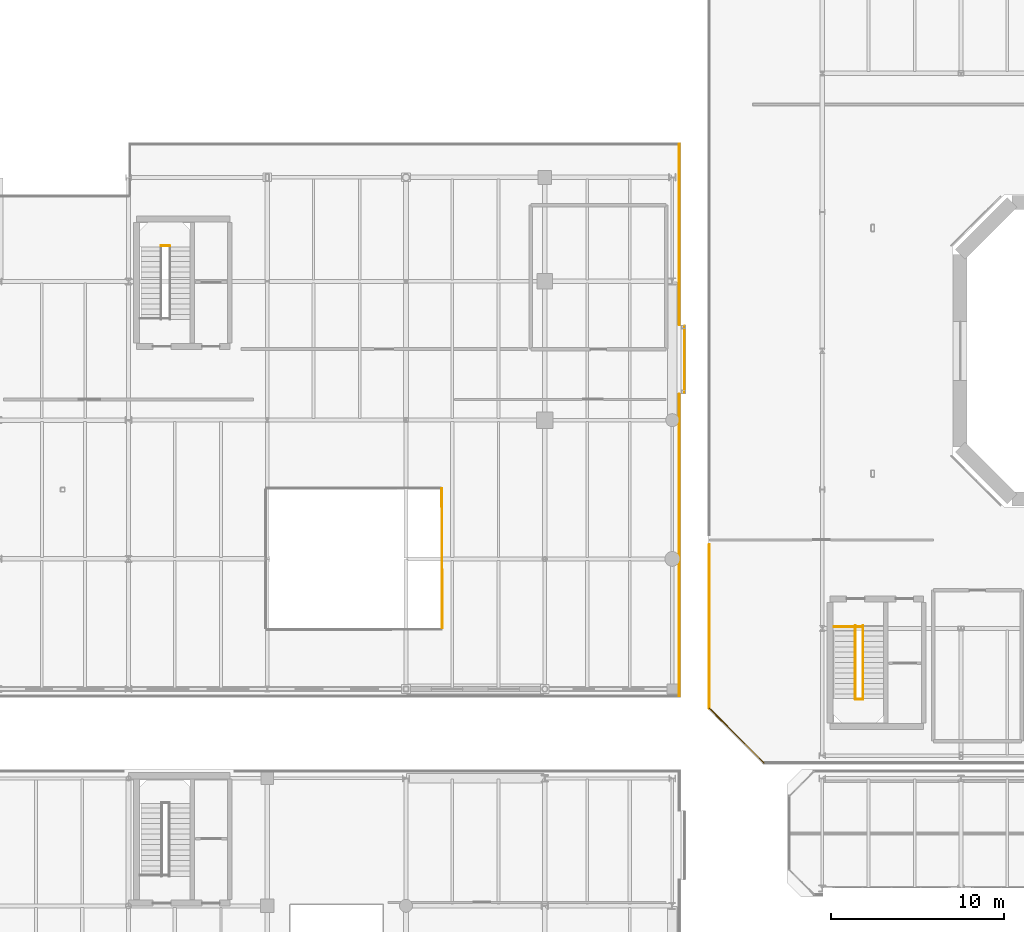
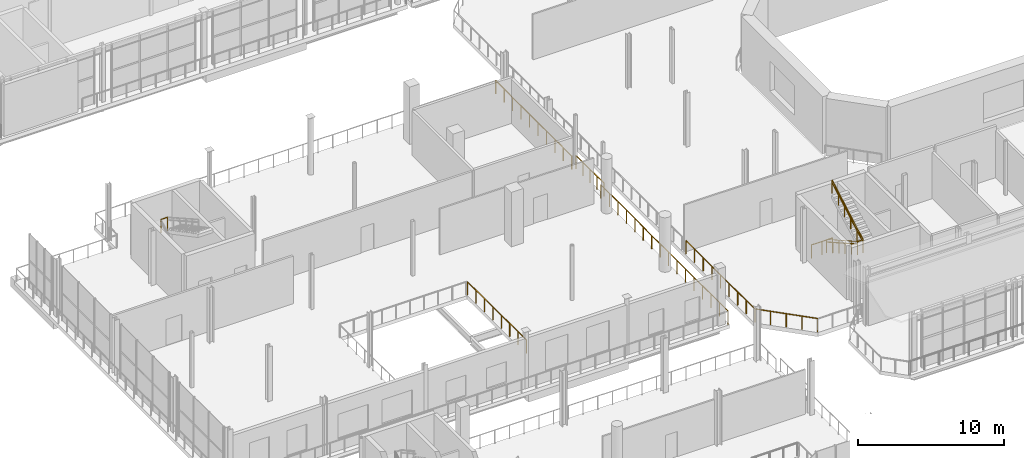
# One storey, part 82 of 93: 13 railings.
"""IFC4 building model written with IfcOpenShell, lengths in metres."""

from ifc_helpers import new_model, si_unit, direction, frame, origin, origin_2d, place, context, subcontext, project, spatial, circle, extrude, material, type_object, element, save


model = new_model("IFC4")

# Units and contexts
model_context = context("Model", 3, precision=1e-05, world=origin(), true_north=direction((0.0, 1.0)))
body_context = subcontext(model_context, "Body", "Model", "MODEL_VIEW")
ifc_project = project(units=[si_unit("LENGTHUNIT", "METRE"), si_unit("AREAUNIT", "SQUARE_METRE"), si_unit("VOLUMEUNIT", "CUBIC_METRE"), si_unit("PLANEANGLEUNIT", "RADIAN"), si_unit("MASSUNIT", "GRAM", prefix="KILO")], contexts=[model_context])

# Site, building, storey
site_placement = place(None, origin())
site = spatial("IfcSite", under=ifc_project, at=site_placement, CompositionType="ELEMENT")
building_placement = place(site_placement, origin())
building = spatial("IfcBuilding", under=site, at=building_placement, Name="Brisemont Oceanarium", CompositionType="ELEMENT")
storey_placement = place(building_placement, frame((0.0, 0.0, 5.39990234375)))
storey = spatial("IfcBuildingStorey", under=building, at=storey_placement, Name="L01", CompositionType="ELEMENT", Elevation=5.39990234375)

# Railings
ifc_material_1 = material(Name="Beaux-Arts Limestone Balustrade Precast Concrete C40/50", Category="masonry")
railing_type_1 = type_object("IfcRailingType", Name="RLG-BAL-1140", PredefinedType="BALUSTRADE", material=ifc_material_1)
railing_1_placement = place(storey_placement, frame((60.63720703125, 32.239990234375, 0.0)))
element("IfcRailing", 1, at=railing_1_placement, inside=storey, type_object=railing_type_1, Name="L01 slab perimeter safety guard 52", PredefinedType="BALUSTRADE", context=body_context, shape_type="SweptSolid", body=[
    extrude(circle(Radius=0.02392578125, at=origin_2d()), frame((0.0, 0.0, 1.11572265625), z_axis=(-0.707106781187, 0.707106781187, 0.0), x_axis=(-0.707106781187, -0.707106781187, 0.0)), (0.0, 0.0, 1.0), 4.450927734375),
    extrude(circle(Radius=0.02099609375, at=origin_2d()), origin(), (0.0, 0.0, 1.0), 1.091796875),
    extrude(circle(Radius=0.02099609375, at=origin_2d()), frame((-0.786865234375, 0.786865234375, 0.0)), (0.0, 0.0, 1.0), 1.091796875),
    extrude(circle(Radius=0.02099609375, at=origin_2d()), frame((-1.57373046875, 1.57373046875, 0.0)), (0.0, 0.0, 1.0), 1.091796875),
    extrude(circle(Radius=0.02099609375, at=origin_2d()), frame((-2.3603515625, 2.3603515625, 0.0)), (0.0, 0.0, 1.0), 1.091796875),
    extrude(circle(Radius=0.02099609375, at=origin_2d()), frame((-3.147216796875, 3.147216796875, 0.0)), (0.0, 0.0, 1.0), 1.091796875),
])
railing_2_placement = place(storey_placement, frame((55.760009765625, 53.49169921875, 0.0)))
element("IfcRailing", 2, at=railing_2_placement, inside=storey, type_object=railing_type_1, Name="L01 slab perimeter safety guard 96", PredefinedType="BALUSTRADE", context=body_context, shape_type="SweptSolid", body=[
    extrude(circle(Radius=0.02392578125, at=origin_2d()), frame((0.0, 0.0, 1.11572265625), z_axis=(0.0, -1.0, 0.0), x_axis=(1.0, 0.0, 0.0)), (0.0, 0.0, 1.0), 17.401123046875),
    extrude(circle(Radius=0.02099609375, at=origin_2d()), origin(), (0.0, 0.0, 1.0), 1.091796875),
    extrude(circle(Radius=0.02099609375, at=origin_2d()), frame((0.0, -1.16015625, 0.0)), (0.0, 0.0, 1.0), 1.091796875),
    extrude(circle(Radius=0.02099609375, at=origin_2d()), frame((0.0, -2.320068359375, 0.0)), (0.0, 0.0, 1.0), 1.091796875),
    extrude(circle(Radius=0.02099609375, at=origin_2d()), frame((0.0, -3.480224609375, 0.0)), (0.0, 0.0, 1.0), 1.091796875),
    extrude(circle(Radius=0.02099609375, at=origin_2d()), frame((0.0, -4.640380859375, 0.0)), (0.0, 0.0, 1.0), 1.091796875),
    extrude(circle(Radius=0.02099609375, at=origin_2d()), frame((0.0, -5.80029296875, 0.0)), (0.0, 0.0, 1.0), 1.091796875),
    extrude(circle(Radius=0.02099609375, at=origin_2d()), frame((0.0, -6.96044921875, 0.0)), (0.0, 0.0, 1.0), 1.091796875),
    extrude(circle(Radius=0.02099609375, at=origin_2d()), frame((0.0, -8.12060546875, 0.0)), (0.0, 0.0, 1.0), 1.091796875),
    extrude(circle(Radius=0.02099609375, at=origin_2d()), frame((0.0, -9.280517578125, 0.0)), (0.0, 0.0, 1.0), 1.091796875),
    extrude(circle(Radius=0.02099609375, at=origin_2d()), frame((0.0, -10.440673828125, 0.0)), (0.0, 0.0, 1.0), 1.091796875),
    extrude(circle(Radius=0.02099609375, at=origin_2d()), frame((0.0, -11.600830078125, 0.0)), (0.0, 0.0, 1.0), 1.091796875),
    extrude(circle(Radius=0.02099609375, at=origin_2d()), frame((0.0, -12.7607421875, 0.0)), (0.0, 0.0, 1.0), 1.091796875),
    extrude(circle(Radius=0.02099609375, at=origin_2d()), frame((0.0, -13.9208984375, 0.0)), (0.0, 0.0, 1.0), 1.091796875),
    extrude(circle(Radius=0.02099609375, at=origin_2d()), frame((0.0, -15.0810546875, 0.0)), (0.0, 0.0, 1.0), 1.091796875),
    extrude(circle(Radius=0.02099609375, at=origin_2d()), frame((0.0, -16.240966796875, 0.0)), (0.0, 0.0, 1.0), 1.091796875),
    extrude(circle(Radius=0.02099609375, at=origin_2d()), frame((0.0, -17.401123046875, 0.0)), (0.0, 0.0, 1.0), 1.091796875),
])
ifc_material_2 = material(Name="Duplex Stainless Steel EN 1.4462", Category="steel")
railing_type_2 = type_object("IfcRailingType", Name="RLG-GUARD-1120", PredefinedType="GUARDRAIL", material=ifc_material_2)
railing_3_placement = place(storey_placement, frame((64.669921875, 40.090087890625, 0.0)))
element("IfcRailing", 3, at=railing_3_placement, inside=storey, type_object=railing_type_2, Name="ST-01 L01 landing edge guard", PredefinedType="GUARDRAIL", context=body_context, shape_type="SweptSolid", body=[
    extrude(circle(Radius=0.02392578125, at=origin_2d()), frame((0.0, 0.0, 1.09619140625), z_axis=(1.0, 0.0, 0.0), x_axis=(0.0, 1.0, 0.0)), (0.0, 0.0, 1.0), 1.68017578125),
    extrude(circle(Radius=0.02099609375, at=origin_2d()), origin(), (0.0, 0.0, 1.0), 1.072021484375),
    extrude(circle(Radius=0.02099609375, at=origin_2d()), frame((0.840087890625, 0.0, 0.0)), (0.0, 0.0, 1.0), 1.072021484375),
    extrude(circle(Radius=0.02099609375, at=origin_2d()), frame((1.68017578125, 0.0, 0.0)), (0.0, 0.0, 1.0), 1.072021484375),
])
railing_4_placement = place(storey_placement, frame((65.909912109375, 40.14990234375, 0.0)))
element("IfcRailing", 4, at=railing_4_placement, inside=storey, type_object=railing_type_2, Name="ST-01 L01 F1 well guard", PredefinedType="GUARDRAIL", context=body_context, shape_type="SweptSolid", body=[
    extrude(circle(Radius=0.02392578125, at=origin_2d()), frame((0.0, 0.0, 1.09619140625), z_axis=(0.0, -0.870740716755, 0.491742416499), x_axis=(1.0, 0.0, 0.0)), (0.0, 0.0, 1.0), 4.880859375),
    extrude(circle(Radius=0.02099609375, at=origin_2d()), origin(), (0.0, 0.0, 1.0), 1.072021484375),
    extrude(circle(Radius=0.02099609375, at=origin_2d()), frame((0.0, -0.85009765625, 0.47998046875)), (0.0, 0.0, 1.0), 1.072021484375),
    extrude(circle(Radius=0.02099609375, at=origin_2d()), frame((0.0, -1.699951171875, 0.9599609375)), (0.0, 0.0, 1.0), 1.072021484375),
    extrude(circle(Radius=0.02099609375, at=origin_2d()), frame((0.0, -2.550048828125, 1.440185546875)), (0.0, 0.0, 1.0), 1.072021484375),
    extrude(circle(Radius=0.02099609375, at=origin_2d()), frame((0.0, -3.39990234375, 1.920166015625)), (0.0, 0.0, 1.0), 1.072021484375),
    extrude(circle(Radius=0.02099609375, at=origin_2d()), frame((0.0, -4.25, 2.400146484375)), (0.0, 0.0, 1.0), 1.072021484375),
])
railing_5_placement = place(storey_placement, frame((66.35009765625, 35.89990234375, 2.400146484375)))
element("IfcRailing", 5, at=railing_5_placement, inside=storey, type_object=railing_type_2, Name="ST-01 L01 F2 well guard", PredefinedType="GUARDRAIL", context=body_context, shape_type="SweptSolid", body=[
    extrude(circle(Radius=0.02392578125, at=origin_2d()), frame((0.0, 0.0, 1.09619140625), z_axis=(0.0, 0.870762133844, 0.491704490791), x_axis=(-1.0, 0.0, 0.0)), (0.0, 0.0, 1.0), 4.880859375),
    extrude(circle(Radius=0.02099609375, at=origin_2d()), origin(), (0.0, 0.0, 1.0), 1.072021484375),
    extrude(circle(Radius=0.02099609375, at=origin_2d()), frame((0.0, 0.85009765625, 0.47998046875)), (0.0, 0.0, 1.0), 1.072021484375),
    extrude(circle(Radius=0.02099609375, at=origin_2d()), frame((0.0, 1.699951171875, 0.9599609375)), (0.0, 0.0, 1.0), 1.072021484375),
    extrude(circle(Radius=0.02099609375, at=origin_2d()), frame((0.0, 2.550048828125, 1.43994140625)), (0.0, 0.0, 1.0), 1.072021484375),
    extrude(circle(Radius=0.02099609375, at=origin_2d()), frame((0.0, 3.39990234375, 1.919921875)), (0.0, 0.0, 1.0), 1.072021484375),
    extrude(circle(Radius=0.02099609375, at=origin_2d()), frame((0.0, 4.25, 2.39990234375)), (0.0, 0.0, 1.0), 1.072021484375),
])
railing_6_placement = place(storey_placement, frame((65.909912109375, 35.89990234375, 2.400146484375)))
element("IfcRailing", 6, at=railing_6_placement, inside=storey, type_object=railing_type_2, Name="ST-01 L01 landing slot guard", PredefinedType="GUARDRAIL", context=body_context, shape_type="SweptSolid", body=[
    extrude(circle(Radius=0.02392578125, at=origin_2d()), frame((0.0, 0.0, 1.09619140625), z_axis=(1.0, 0.0, 0.0), x_axis=(0.0, 1.0, 0.0)), (0.0, 0.0, 1.0), 0.440185546875),
    extrude(circle(Radius=0.02099609375, at=origin_2d()), origin(), (0.0, 0.0, 1.0), 1.072021484375),
    extrude(circle(Radius=0.02099609375, at=origin_2d()), frame((0.440185546875, 0.0, 0.0)), (0.0, 0.0, 1.0), 1.072021484375),
])
railing_7_placement = place(storey_placement, frame((25.8701171875, 62.050048828125, 2.400146484375)))
element("IfcRailing", 7, at=railing_7_placement, inside=storey, type_object=railing_type_2, Name="ST-05 L01 landing slot guard", PredefinedType="GUARDRAIL", context=body_context, shape_type="SweptSolid", body=[
    extrude(circle(Radius=0.02392578125, at=origin_2d()), frame((0.0, 0.0, 1.09619140625), z_axis=(1.0, 0.0, 0.0), x_axis=(0.0, 1.0, 0.0)), (0.0, 0.0, 1.0), 0.519775390625),
    extrude(circle(Radius=0.02099609375, at=origin_2d()), origin(), (0.0, 0.0, 1.0), 1.072021484375),
    extrude(circle(Radius=0.02099609375, at=origin_2d()), frame((0.519775390625, 0.0, 0.0)), (0.0, 0.0, 1.0), 1.072021484375),
])
railing_8_placement = place(storey_placement, frame((57.489990234375, 35.38720703125, 0.0)))
element("IfcRailing", 8, at=railing_8_placement, inside=storey, type_object=railing_type_2, Name="L01 slab perimeter safety guard 42", PredefinedType="GUARDRAIL", context=body_context, shape_type="SweptSolid", body=[
    extrude(circle(Radius=0.02392578125, at=origin_2d()), frame((0.0, 0.0, 1.09619140625), z_axis=(0.0, 1.0, 0.0), x_axis=(-1.0, 0.0, 0.0)), (0.0, 0.0, 1.0), 9.433349609375),
    extrude(circle(Radius=0.02099609375, at=origin_2d()), origin(), (0.0, 0.0, 1.0), 1.072021484375),
    extrude(circle(Radius=0.02099609375, at=origin_2d()), frame((0.0, 1.17919921875, 0.0)), (0.0, 0.0, 1.0), 1.072021484375),
    extrude(circle(Radius=0.02099609375, at=origin_2d()), frame((0.0, 2.3583984375, 0.0)), (0.0, 0.0, 1.0), 1.072021484375),
    extrude(circle(Radius=0.02099609375, at=origin_2d()), frame((0.0, 3.53759765625, 0.0)), (0.0, 0.0, 1.0), 1.072021484375),
    extrude(circle(Radius=0.02099609375, at=origin_2d()), frame((0.0, 4.716796875, 0.0)), (0.0, 0.0, 1.0), 1.072021484375),
    extrude(circle(Radius=0.02099609375, at=origin_2d()), frame((0.0, 5.895751953125, 0.0)), (0.0, 0.0, 1.0), 1.072021484375),
    extrude(circle(Radius=0.02099609375, at=origin_2d()), frame((0.0, 7.074951171875, 0.0)), (0.0, 0.0, 1.0), 1.072021484375),
    extrude(circle(Radius=0.02099609375, at=origin_2d()), frame((0.0, 8.254150390625, 0.0)), (0.0, 0.0, 1.0), 1.072021484375),
    extrude(circle(Radius=0.02099609375, at=origin_2d()), frame((0.0, 9.433349609375, 0.0)), (0.0, 0.0, 1.0), 1.072021484375),
])
railing_9_placement = place(storey_placement, frame((55.759521484375, 67.909912109375, 0.0)))
element("IfcRailing", 9, at=railing_9_placement, inside=storey, type_object=railing_type_2, Name="L01 slab perimeter safety guard 94", PredefinedType="GUARDRAIL", context=body_context, shape_type="SweptSolid", body=[
    extrude(circle(Radius=0.02392578125, at=origin_2d()), frame((0.0, 0.0, 1.09619140625), z_axis=(4.6923023e-05, -0.999999998899, 0.0), x_axis=(0.999999998899, 4.6923023e-05, 0.0)), (0.0, 0.0, 1.0), 10.406005859375),
    extrude(circle(Radius=0.02099609375, at=origin_2d()), origin(), (0.0, 0.0, 1.0), 1.072021484375),
    extrude(circle(Radius=0.02099609375, at=origin_2d()), frame((0.0, -1.15625, 0.0)), (0.0, 0.0, 1.0), 1.072021484375),
    extrude(circle(Radius=0.02099609375, at=origin_2d()), frame((0.0, -2.3125, 0.0)), (0.0, 0.0, 1.0), 1.072021484375),
    extrude(circle(Radius=0.02099609375, at=origin_2d()), frame((0.000244140625, -3.46875, 0.0)), (0.0, 0.0, 1.0), 1.072021484375),
    extrude(circle(Radius=0.02099609375, at=origin_2d()), frame((0.000244140625, -4.625, 0.0)), (0.0, 0.0, 1.0), 1.072021484375),
    extrude(circle(Radius=0.02099609375, at=origin_2d()), frame((0.000244140625, -5.781005859375, 0.0)), (0.0, 0.0, 1.0), 1.072021484375),
    extrude(circle(Radius=0.02099609375, at=origin_2d()), frame((0.000244140625, -6.937255859375, 0.0)), (0.0, 0.0, 1.0), 1.072021484375),
    extrude(circle(Radius=0.02099609375, at=origin_2d()), frame((0.00048828125, -8.093505859375, 0.0)), (0.0, 0.0, 1.0), 1.072021484375),
    extrude(circle(Radius=0.02099609375, at=origin_2d()), frame((0.00048828125, -9.249755859375, 0.0)), (0.0, 0.0, 1.0), 1.072021484375),
    extrude(circle(Radius=0.02099609375, at=origin_2d()), frame((0.00048828125, -10.406005859375, 0.0)), (0.0, 0.0, 1.0), 1.072021484375),
])
railing_10_placement = place(storey_placement, frame((56.06005859375, 57.409912109375, 0.0)))
element("IfcRailing", 10, at=railing_10_placement, inside=storey, type_object=railing_type_2, Name="L01 slab perimeter safety guard 95", PredefinedType="GUARDRAIL", context=body_context, shape_type="SweptSolid", body=[
    extrude(circle(Radius=0.02392578125, at=origin_2d()), frame((0.0, 0.0, 1.09619140625), z_axis=(0.0, -1.0, 0.0), x_axis=(1.0, 0.0, 0.0)), (0.0, 0.0, 1.0), 3.81982421875),
    extrude(circle(Radius=0.02099609375, at=origin_2d()), origin(), (0.0, 0.0, 1.0), 1.072021484375),
    extrude(circle(Radius=0.02099609375, at=origin_2d()), frame((0.0, -0.955078125, 0.0)), (0.0, 0.0, 1.0), 1.072021484375),
    extrude(circle(Radius=0.02099609375, at=origin_2d()), frame((0.0, -1.909912109375, 0.0)), (0.0, 0.0, 1.0), 1.072021484375),
    extrude(circle(Radius=0.02099609375, at=origin_2d()), frame((0.0, -2.86474609375, 0.0)), (0.0, 0.0, 1.0), 1.072021484375),
    extrude(circle(Radius=0.02099609375, at=origin_2d()), frame((0.0, -3.81982421875, 0.0)), (0.0, 0.0, 1.0), 1.072021484375),
])
railing_11_placement = place(storey_placement, frame((42.090087890625, 40.02001953125, 0.0)))
element("IfcRailing", 11, at=railing_11_placement, inside=storey, type_object=railing_type_2, Name="L01 slab perimeter safety guard 99", PredefinedType="GUARDRAIL", context=body_context, shape_type="SweptSolid", body=[
    extrude(circle(Radius=0.02392578125, at=origin_2d()), frame((0.0, 0.0, 1.09619140625), z_axis=(-0.002798383008, 0.999996084519, 0.0), x_axis=(-0.999996084519, -0.002798383008, 0.0)), (0.0, 0.0, 1.0), 8.0263671875),
    extrude(circle(Radius=0.02099609375, at=origin_2d()), origin(), (0.0, 0.0, 1.0), 1.072021484375),
    extrude(circle(Radius=0.02099609375, at=origin_2d()), frame((-0.003173828125, 1.146728515625, 0.0)), (0.0, 0.0, 1.0), 1.072021484375),
    extrude(circle(Radius=0.02099609375, at=origin_2d()), frame((-0.00634765625, 2.293212890625, 0.0)), (0.0, 0.0, 1.0), 1.072021484375),
    extrude(circle(Radius=0.02099609375, at=origin_2d()), frame((-0.009521484375, 3.43994140625, 0.0)), (0.0, 0.0, 1.0), 1.072021484375),
    extrude(circle(Radius=0.02099609375, at=origin_2d()), frame((-0.012939453125, 4.58642578125, 0.0)), (0.0, 0.0, 1.0), 1.072021484375),
    extrude(circle(Radius=0.02099609375, at=origin_2d()), frame((-0.01611328125, 5.733154296875, 0.0)), (0.0, 0.0, 1.0), 1.072021484375),
    extrude(circle(Radius=0.02099609375, at=origin_2d()), frame((-0.019287109375, 6.879638671875, 0.0)), (0.0, 0.0, 1.0), 1.072021484375),
    extrude(circle(Radius=0.02099609375, at=origin_2d()), frame((-0.0224609375, 8.0263671875, 0.0)), (0.0, 0.0, 1.0), 1.072021484375),
])
ifc_material_3 = material(Name="Duplex Stainless Steel EN 1.4462", Category="steel")
railing_type_3 = type_object("IfcRailingType", Name="RLG-HAND-900", PredefinedType="HANDRAIL", material=ifc_material_3)
railing_12_placement = place(storey_placement, frame((65.909912109375, 40.14990234375, 0.0)))
element("IfcRailing", 12, at=railing_12_placement, inside=storey, type_object=railing_type_3, Name="ST-01 L01 F1 handrail", PredefinedType="HANDRAIL", context=body_context, shape_type="SweptSolid", body=[
    extrude(circle(Radius=0.02392578125, at=origin_2d()), frame((0.0, 0.0, 0.8759765625), z_axis=(0.0, -0.870740716755, 0.491742416499), x_axis=(1.0, 0.0, 0.0)), (0.0, 0.0, 1.0), 4.880859375),
    extrude(circle(Radius=0.02099609375, at=origin_2d()), origin(), (0.0, 0.0, 1.0), 0.851806640625),
    extrude(circle(Radius=0.02099609375, at=origin_2d()), frame((0.0, -0.85009765625, 0.47998046875)), (0.0, 0.0, 1.0), 0.851806640625),
    extrude(circle(Radius=0.02099609375, at=origin_2d()), frame((0.0, -1.699951171875, 0.9599609375)), (0.0, 0.0, 1.0), 0.851806640625),
    extrude(circle(Radius=0.02099609375, at=origin_2d()), frame((0.0, -2.550048828125, 1.440185546875)), (0.0, 0.0, 1.0), 0.851806640625),
    extrude(circle(Radius=0.02099609375, at=origin_2d()), frame((0.0, -3.39990234375, 1.920166015625)), (0.0, 0.0, 1.0), 0.851806640625),
    extrude(circle(Radius=0.02099609375, at=origin_2d()), frame((0.0, -4.25, 2.400146484375)), (0.0, 0.0, 1.0), 0.851806640625),
])
railing_13_placement = place(storey_placement, frame((66.35009765625, 35.89990234375, 2.400146484375)))
element("IfcRailing", 13, at=railing_13_placement, inside=storey, type_object=railing_type_3, Name="ST-01 L01 F2 handrail", PredefinedType="HANDRAIL", context=body_context, shape_type="SweptSolid", body=[
    extrude(circle(Radius=0.02392578125, at=origin_2d()), frame((0.0, 0.0, 0.8759765625), z_axis=(0.0, 0.870762133844, 0.491704490791), x_axis=(-1.0, 0.0, 0.0)), (0.0, 0.0, 1.0), 4.880859375),
    extrude(circle(Radius=0.02099609375, at=origin_2d()), origin(), (0.0, 0.0, 1.0), 0.851806640625),
    extrude(circle(Radius=0.02099609375, at=origin_2d()), frame((0.0, 0.85009765625, 0.47998046875)), (0.0, 0.0, 1.0), 0.851806640625),
    extrude(circle(Radius=0.02099609375, at=origin_2d()), frame((0.0, 1.699951171875, 0.9599609375)), (0.0, 0.0, 1.0), 0.851806640625),
    extrude(circle(Radius=0.02099609375, at=origin_2d()), frame((0.0, 2.550048828125, 1.43994140625)), (0.0, 0.0, 1.0), 0.851806640625),
    extrude(circle(Radius=0.02099609375, at=origin_2d()), frame((0.0, 3.39990234375, 1.919921875)), (0.0, 0.0, 1.0), 0.851806640625),
    extrude(circle(Radius=0.02099609375, at=origin_2d()), frame((0.0, 4.25, 2.39990234375)), (0.0, 0.0, 1.0), 0.851806640625),
])

save(model, "model.ifc")
